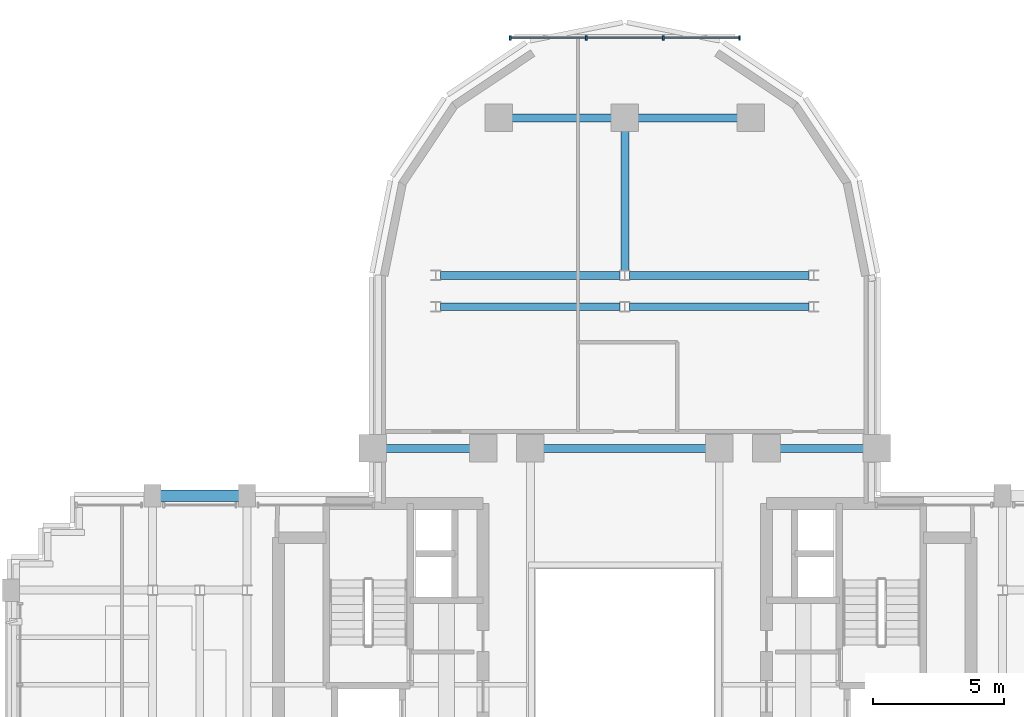
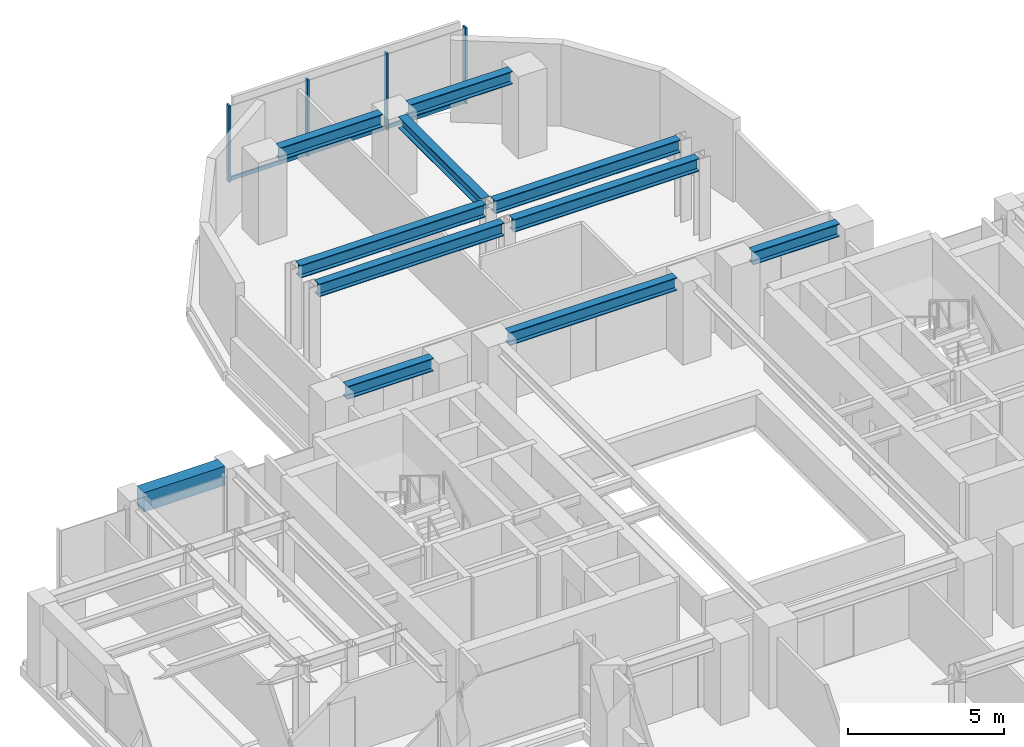
# One storey, part 6 of 13: 11 beams, 7 members, 1 element without a shape of its own.
"""IFC4 building model written with IfcOpenShell, lengths in metres."""

from ifc_helpers import new_model, si_unit, direction, frame, origin, origin_2d, place, context, subcontext, project, spatial, rectangle, i_section, extrude, source, transform, mapped, material, material_profile, profile_set, type_object, element, aggregate, save


model = new_model("IFC4")

# Units and contexts
model_context = context("Model", 3, precision=1e-05, world=origin(), true_north=direction((0.0, 1.0)))
body_context = subcontext(model_context, "Body", "Model", "MODEL_VIEW")
ifc_project = project(units=[si_unit("LENGTHUNIT", "METRE"), si_unit("AREAUNIT", "SQUARE_METRE"), si_unit("VOLUMEUNIT", "CUBIC_METRE"), si_unit("PLANEANGLEUNIT", "RADIAN"), si_unit("MASSUNIT", "GRAM", prefix="KILO")], contexts=[model_context])

# Site, building, storey
site_placement = place(None, origin())
site = spatial("IfcSite", under=ifc_project, at=site_placement, CompositionType="ELEMENT")
building_placement = place(site_placement, origin())
building = spatial("IfcBuilding", under=site, at=building_placement, Name="Keilestroom Media Tower", CompositionType="ELEMENT")
storey_placement = place(building_placement, frame((0.0, 0.0, 141.39990234375)))
storey = spatial("IfcBuildingStorey", under=building, at=storey_placement, Name="L38", CompositionType="ELEMENT", Elevation=141.39990234375)

# Beams
ifc_material_1 = material(Name="Steel S355", Category="steel")
ifc_material_profile_1 = material_profile(ifc_material_1, i_section(OverallWidth=0.300048828125, OverallDepth=0.5, WebThickness=0.012451171875, FlangeThickness=0.028076171875, at=origin_2d()), Name="HEB 500")
ifc_profile_set_1 = profile_set([ifc_material_profile_1], Name="Steel S355")
beam_type_1 = type_object("IfcBeamType", Name="Primary-Structural-Girder-HEB-500", PredefinedType="BEAM", material=ifc_profile_set_1)
shared_shape_1 = source(origin(), body_context, "Body", "SweptSolid", [
    extrude(i_section(OverallWidth=0.300048828125, OverallDepth=0.5, WebThickness=0.012451171875, FlangeThickness=0.028076171875, at=origin_2d()), origin(), (0.0, 0.0, 1.0), 3.7900390625),
])
for number, where, z_axis, x_axis, name in (
    (1, (-4.294921875, 21.60009765625, 2.9501953125), (1.0, 0.0, 0.0), (0.0, 1.0, 0.0), "L38 Beam BG-6 BM-L38-EW-037"),
    (2, (0.5048828125, 21.60009765625, 2.9501953125), (1.0, 0.0, 0.0), (0.0, 1.0, 0.0), "L38 Beam BG-6 BM-L38-EW-038"),
):
    element("IfcBeam", number, at=place(storey_placement, frame(where, z_axis=z_axis, x_axis=x_axis)), inside=storey, type_object=beam_type_1, Name=name, PredefinedType="BEAM", context=body_context, shape_type="MappedRepresentation", body=[
        mapped(shared_shape_1, transform((0.0, 0.0, 0.0), x_axis=(1.0, 0.0, 0.0), y_axis=(0.0, 1.0, 0.0), z_axis=(0.0, 0.0, 1.0), scale=1.0)),
    ])
shared_shape_2 = source(origin(), body_context, "Body", "SweptSolid", [
    extrude(i_section(OverallWidth=0.300048828125, OverallDepth=0.5, WebThickness=0.012451171875, FlangeThickness=0.028076171875, at=origin_2d()), origin(), (0.0, 0.0, 1.0), 6.839111328125),
])
for number, where, z_axis, x_axis, name in (
    (3, (-7.01953125, 14.39990234375, 2.9501953125), (1.0, 0.0, 0.0), (0.0, 1.0, 0.0), "L38 Beam BG-6 BM-L38-EW-033"),
    (4, (0.180419921875, 14.39990234375, 2.9501953125), (1.0, 0.0, 0.0), (0.0, 1.0, 0.0), "L38 Beam BG-6 BM-L38-EW-034"),
    (5, (-7.01953125, 15.60009765625, 2.9501953125), (1.0, 0.0, 0.0), (0.0, 1.0, 0.0), "L38 Beam BG-6 BM-L38-EW-035"),
    (6, (0.180419921875, 15.60009765625, 2.9501953125), (1.0, 0.0, 0.0), (0.0, 1.0, 0.0), "L38 Beam BG-6 BM-L38-EW-036"),
):
    element("IfcBeam", number, at=place(storey_placement, frame(where, z_axis=z_axis, x_axis=x_axis)), inside=storey, type_object=beam_type_1, Name=name, PredefinedType="BEAM", context=body_context, shape_type="MappedRepresentation", body=[
        mapped(shared_shape_2, transform((0.0, 0.0, 0.0), x_axis=(1.0, 0.0, 0.0), y_axis=(0.0, 1.0, 0.0), z_axis=(0.0, 0.0, 1.0), scale=1.0)),
    ])
shared_shape_3 = source(origin(), body_context, "Body", "SweptSolid", [
    extrude(i_section(OverallWidth=0.300048828125, OverallDepth=0.5, WebThickness=0.012451171875, FlangeThickness=0.028076171875, at=origin_2d()), origin(), (0.0, 0.0, 1.0), 3.18994140625),
])
for number, where, z_axis, x_axis, name in (
    (7, (-9.094970703125, 9.0, 2.9501953125), (1.0, 0.0, 0.0), (0.0, 1.0, 0.0), "L38 Beam BG-6 BM-L38-EW-028"),
    (8, (5.905029296875, 9.0, 2.9501953125), (1.0, 0.0, 0.0), (0.0, 1.0, 0.0), "L38 Beam BG-6 BM-L38-EW-032"),
):
    element("IfcBeam", number, at=place(storey_placement, frame(where, z_axis=z_axis, x_axis=x_axis)), inside=storey, type_object=beam_type_1, Name=name, PredefinedType="BEAM", context=body_context, shape_type="MappedRepresentation", body=[
        mapped(shared_shape_3, transform((0.0, 0.0, 0.0), x_axis=(1.0, 0.0, 0.0), y_axis=(0.0, 1.0, 0.0), z_axis=(0.0, 0.0, 1.0), scale=1.0)),
    ])
shared_shape_4 = source(origin(), body_context, "Body", "SweptSolid", [
    extrude(i_section(OverallWidth=0.300048828125, OverallDepth=0.5, WebThickness=0.012451171875, FlangeThickness=0.028076171875, at=origin_2d()), origin(), (0.0, 0.0, 1.0), 6.18994140625),
])
beam_1_placement = place(storey_placement, frame((-3.094970703125, 9.0, 2.9501953125), z_axis=(1.0, 0.0, 0.0), x_axis=(0.0, 1.0, 0.0)))
element("IfcBeam", 9, at=beam_1_placement, inside=storey, type_object=beam_type_1, Name="L38 Beam BG-6 BM-L38-EW-030", PredefinedType="BEAM", context=body_context, shape_type="MappedRepresentation", body=[
    mapped(shared_shape_4, transform((0.0, 0.0, 0.0), x_axis=(1.0, 0.0, 0.0), y_axis=(0.0, 1.0, 0.0), z_axis=(0.0, 0.0, 1.0), scale=1.0)),
])
ifc_material_2 = material(Name="Precast concrete C40/50", Category="concrete")
ifc_material_profile_2 = material_profile(ifc_material_2, rectangle(XDim=0.449951171875, YDim=0.75, at=origin_2d()), Name="PC 450x750")
ifc_profile_set_2 = profile_set([ifc_material_profile_2], Name="Precast concrete C40/50")
beam_type_2 = type_object("IfcBeamType", Name="Perimeter-Spandrel-Beam-PC-450x750", PredefinedType="SPANDREL", material=ifc_profile_set_2)
shared_shape_5 = source(origin(), body_context, "Body", "SweptSolid", [
    extrude(rectangle(XDim=0.449951171875, YDim=0.75, at=origin_2d()), origin(), (0.0, 0.0, 1.0), 2.989990234375),
])
beam_2_placement = place(storey_placement, frame((-17.695068359375, 7.199951171875, 2.8251953125), z_axis=(1.0, 0.0, 0.0), x_axis=(0.0, 1.0, 0.0)))
element("IfcBeam", 10, at=beam_2_placement, inside=storey, type_object=beam_type_2, Name="L38 Beam SPB-1 BM-L38-EW-026", PredefinedType="SPANDREL", context=body_context, shape_type="MappedRepresentation", body=[
    mapped(shared_shape_5, transform((0.0, 0.0, 0.0), x_axis=(1.0, 0.0, 0.0), y_axis=(0.0, 1.0, 0.0), z_axis=(0.0, 0.0, 1.0), scale=1.0)),
])
ifc_material_profile_3 = material_profile(ifc_material_1, i_section(OverallWidth=0.300048828125, OverallDepth=0.449951171875, WebThickness=0.011962890625, FlangeThickness=0.02587890625, at=origin_2d()), Name="HEB 450")
ifc_profile_set_3 = profile_set([ifc_material_profile_3], Name="Steel S355")
beam_type_3 = type_object("IfcBeamType", Name="Primary-Structural-Girder-HEB-450", PredefinedType="BEAM", material=ifc_profile_set_3)
shared_shape_6 = source(origin(), body_context, "Body", "SweptSolid", [
    extrude(i_section(OverallWidth=0.300048828125, OverallDepth=0.449951171875, WebThickness=0.011962890625, FlangeThickness=0.02587890625, at=origin_2d()), origin(), (0.0, 0.0, 1.0), 5.3154296875),
])
beam_3_placement = place(storey_placement, frame((0.0, 15.779541015625, 2.97509765625), z_axis=(0.0, 1.0, 0.0), x_axis=(-1.0, 0.0, 0.0)))
element("IfcBeam", 11, at=beam_3_placement, inside=storey, type_object=beam_type_3, Name="L38 Beam BG-7 BM-L38-NS-055", PredefinedType="BEAM", context=body_context, shape_type="MappedRepresentation", body=[
    mapped(shared_shape_6, transform((0.0, 0.0, 0.0), x_axis=(1.0, 0.0, 0.0), y_axis=(0.0, 1.0, 0.0), z_axis=(0.0, 0.0, 1.0), scale=1.0)),
])

# Curtain wall, members
ifc_material_3 = material(Name="Anodised Aluminium Alloy", Category="aluminium")
curtain_wall_type = type_object("IfcCurtainWallType", Name="Unitised-Curtain-Wall-CW-6", PredefinedType="NOTDEFINED", material=ifc_material_3)
curtain_wall_placement = place(storey_placement, origin())
curtain_wall = element("IfcCurtainWall", 12, at=curtain_wall_placement, inside=storey, type_object=curtain_wall_type, Name="L38 Curtain Wall CW-6 CW-L38-LN-1", PredefinedType="NOTDEFINED")
ifc_material_profile_4 = material_profile(ifc_material_3, rectangle(XDim=0.06494140625, YDim=0.179931640625, at=origin_2d()), Name="ALU MULLION 65x180")
ifc_profile_set_4 = profile_set([ifc_material_profile_4], Name="Anodised Aluminium Alloy")
member_type_1 = type_object("IfcMemberType", Name="Curtain-Wall-Mullion-CW-6", PredefinedType="MULLION", material=ifc_profile_set_4)
shared_shape_7 = source(origin(), body_context, "Body", "SweptSolid", [
    extrude(rectangle(XDim=0.06494140625, YDim=0.179931640625, at=origin_2d()), origin(), (0.0, 0.0, 1.0), 2.97998046875),
])
member_1_placement = place(storey_placement, frame((-4.367431640625, 24.64990234375, 0.0), z_axis=(0.0, 0.0, 1.0), x_axis=(1.0, 0.0, 0.0)))
member_1 = element("IfcMember", 13, at=member_1_placement, type_object=member_type_1, Name="CW-6 Mullion 00", PredefinedType="MULLION", context=body_context, shape_type="MappedRepresentation", body=[
    mapped(shared_shape_7, transform((0.0, 0.0, 0.0), x_axis=(1.0, 0.0, 0.0), y_axis=(0.0, 1.0, 0.0), z_axis=(0.0, 0.0, 1.0), scale=1.0)),
])
member_2_placement = place(storey_placement, frame((-1.466796875, 24.64990234375, 0.0), z_axis=(0.0, 0.0, 1.0), x_axis=(1.0, 0.0, 0.0)))
member_2 = element("IfcMember", 14, at=member_2_placement, type_object=member_type_1, Name="CW-6 Mullion 01", PredefinedType="MULLION", context=body_context, shape_type="MappedRepresentation", body=[
    mapped(shared_shape_7, transform((0.0, 0.0, 0.0), x_axis=(1.0, 0.0, 0.0), y_axis=(0.0, 1.0, 0.0), z_axis=(0.0, 0.0, 1.0), scale=1.0)),
])
member_3_placement = place(storey_placement, frame((1.466796875, 24.64990234375, 0.0), z_axis=(0.0, 0.0, 1.0), x_axis=(1.0, 0.0, 0.0)))
member_3 = element("IfcMember", 15, at=member_3_placement, type_object=member_type_1, Name="CW-6 Mullion 02", PredefinedType="MULLION", context=body_context, shape_type="MappedRepresentation", body=[
    mapped(shared_shape_7, transform((0.0, 0.0, 0.0), x_axis=(1.0, 0.0, 0.0), y_axis=(0.0, 1.0, 0.0), z_axis=(0.0, 0.0, 1.0), scale=1.0)),
])
member_4_placement = place(storey_placement, frame((4.367431640625, 24.64990234375, 0.0), z_axis=(0.0, 0.0, 1.0), x_axis=(1.0, 0.0, 0.0)))
member_4 = element("IfcMember", 16, at=member_4_placement, type_object=member_type_1, Name="CW-6 Mullion 03", PredefinedType="MULLION", context=body_context, shape_type="MappedRepresentation", body=[
    mapped(shared_shape_7, transform((0.0, 0.0, 0.0), x_axis=(1.0, 0.0, 0.0), y_axis=(0.0, 1.0, 0.0), z_axis=(0.0, 0.0, 1.0), scale=1.0)),
])
ifc_material_profile_5 = material_profile(ifc_material_3, rectangle(XDim=0.06494140625, YDim=0.14990234375, at=origin_2d()), Name="ALU TRANSOM 65x150")
ifc_profile_set_5 = profile_set([ifc_material_profile_5], Name="Anodised Aluminium Alloy")
member_type_2 = type_object("IfcMemberType", Name="Curtain-Wall-Transom-CW-6", PredefinedType="USERDEFINED", material=ifc_profile_set_5)
shared_shape_8 = source(origin(), body_context, "Body", "SweptSolid", [
    extrude(rectangle(XDim=0.06494140625, YDim=0.14990234375, at=origin_2d()), origin(), (0.0, 0.0, 1.0), 2.839599609375),
])
member_5_placement = place(storey_placement, frame((-4.3369140625, 24.64990234375, 0.0751953125), z_axis=(1.0, 0.0, 0.0), x_axis=(0.0, 1.0, 0.0)))
member_5 = element("IfcMember", 17, at=member_5_placement, type_object=member_type_2, Name="CW-6 Transom 00.1", ObjectType="TRANSOM", PredefinedType="USERDEFINED", context=body_context, shape_type="MappedRepresentation", body=[
    mapped(shared_shape_8, transform((0.0, 0.0, 0.0), x_axis=(1.0, 0.0, 0.0), y_axis=(0.0, 1.0, 0.0), z_axis=(0.0, 0.0, 1.0), scale=1.0)),
])
member_6_placement = place(storey_placement, frame((1.497314453125, 24.64990234375, 0.0751953125), z_axis=(1.0, 0.0, 0.0), x_axis=(0.0, 1.0, 0.0)))
member_6 = element("IfcMember", 18, at=member_6_placement, type_object=member_type_2, Name="CW-6 Transom 02.1", ObjectType="TRANSOM", PredefinedType="USERDEFINED", context=body_context, shape_type="MappedRepresentation", body=[
    mapped(shared_shape_8, transform((0.0, 0.0, 0.0), x_axis=(1.0, 0.0, 0.0), y_axis=(0.0, 1.0, 0.0), z_axis=(0.0, 0.0, 1.0), scale=1.0)),
])
shared_shape_9 = source(origin(), body_context, "Body", "SweptSolid", [
    extrude(rectangle(XDim=0.06494140625, YDim=0.14990234375, at=origin_2d()), origin(), (0.0, 0.0, 1.0), 2.87255859375),
])
member_7_placement = place(storey_placement, frame((-1.436279296875, 24.64990234375, 0.0751953125), z_axis=(1.0, 0.0, 0.0), x_axis=(0.0, 1.0, 0.0)))
member_7 = element("IfcMember", 19, at=member_7_placement, type_object=member_type_2, Name="CW-6 Transom 01.1", ObjectType="TRANSOM", PredefinedType="USERDEFINED", context=body_context, shape_type="MappedRepresentation", body=[
    mapped(shared_shape_9, transform((0.0, 0.0, 0.0), x_axis=(1.0, 0.0, 0.0), y_axis=(0.0, 1.0, 0.0), z_axis=(0.0, 0.0, 1.0), scale=1.0)),
])
aggregate(curtain_wall, [member_1, member_2, member_3, member_4, member_5, member_7, member_6])

save(model, "model.ifc")
